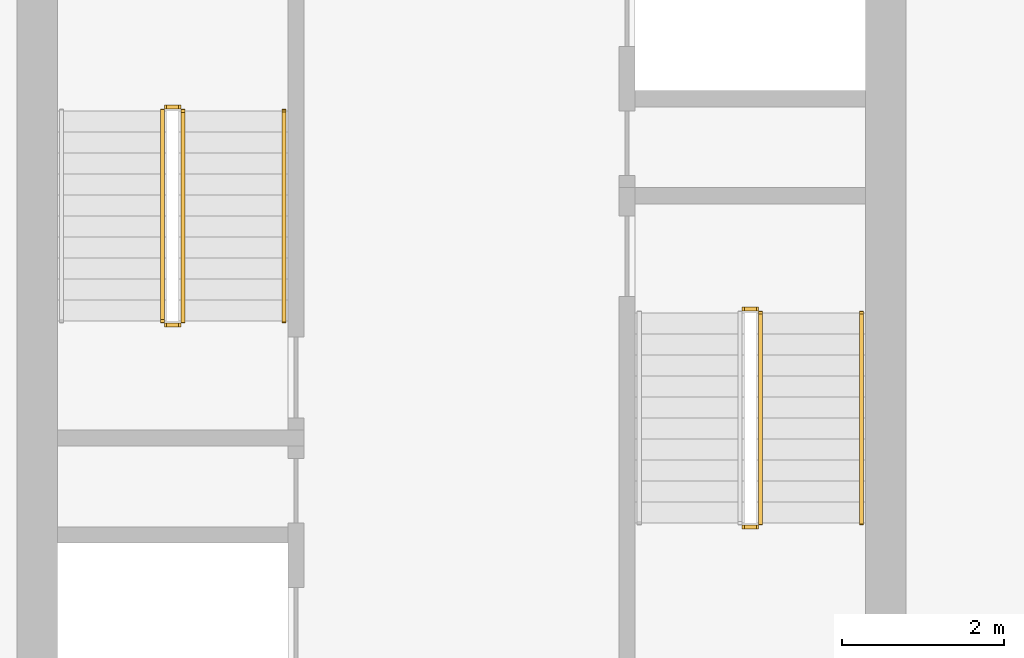
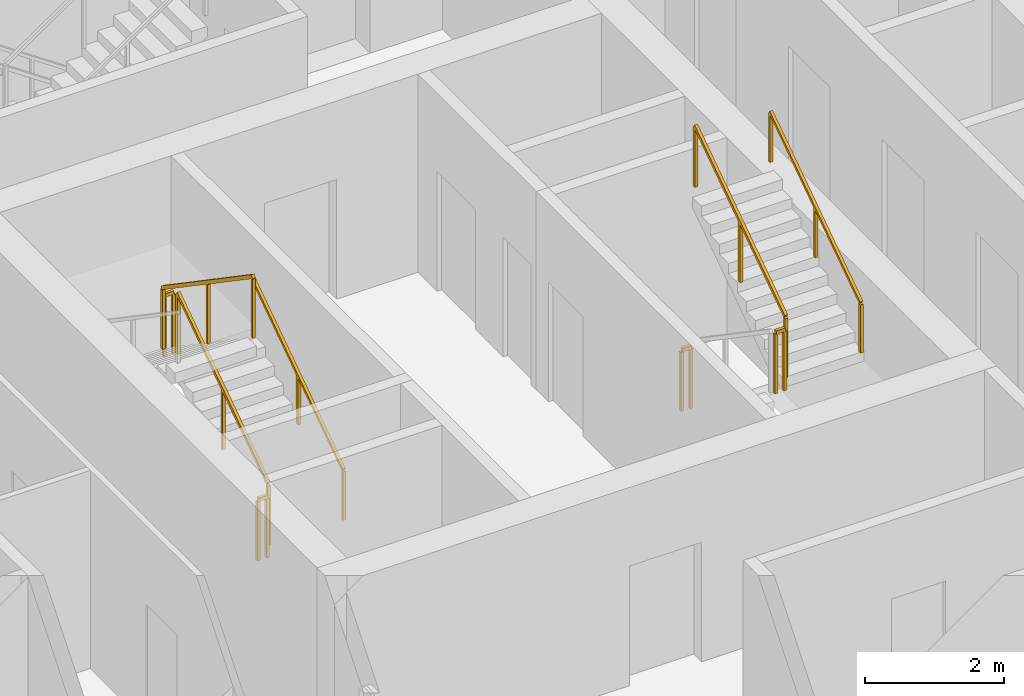
# One storey, part 13 of 16: 9 railings.
"""IFC4 building model written with IfcOpenShell, lengths in metres."""

from ifc_helpers import new_model, si_unit, direction, frame, origin, origin_2d, place, context, subcontext, project, spatial, rectangle, extrude, material, type_object, element, save


model = new_model("IFC4")

# Units and contexts
model_context = context("Model", 3, precision=1e-05, world=origin(), true_north=direction((0.0, 1.0)))
body_context = subcontext(model_context, "Body", "Model", "MODEL_VIEW")
ifc_project = project(units=[si_unit("LENGTHUNIT", "METRE"), si_unit("AREAUNIT", "SQUARE_METRE"), si_unit("VOLUMEUNIT", "CUBIC_METRE"), si_unit("PLANEANGLEUNIT", "RADIAN"), si_unit("MASSUNIT", "GRAM", prefix="KILO")], contexts=[model_context])

# Site, building, storey
site_placement = place(None, origin())
site = spatial("IfcSite", under=ifc_project, at=site_placement, CompositionType="ELEMENT")
building_placement = place(site_placement, origin())
building = spatial("IfcBuilding", under=site, at=building_placement, Name="Khepri Terraces", CompositionType="ELEMENT")
storey_placement = place(building_placement, frame((0.0, 0.0, 137.699951171875)))
storey = spatial("IfcBuildingStorey", under=building, at=storey_placement, Name="L32", CompositionType="ELEMENT", Elevation=137.699951171875)

# Railings
ifc_material = material(Name="Stainless steel 316", Category="steel")
railing_type_1 = type_object("IfcRailingType", Name="RL-CORE-GUARD", PredefinedType="GUARDRAIL", material=ifc_material)
railing_1_placement = place(storey_placement, frame((-3.449951171875, -0.050048828125, 0.17724609375)))
element("IfcRailing", 1, at=railing_1_placement, inside=storey, type_object=railing_type_1, Name="L32 ST-1 stair guard 1", PredefinedType="GUARDRAIL", context=body_context, shape_type="SweptSolid", body=[
    extrude(rectangle(XDim=0.050048828125, YDim=0.06005859375, at=origin_2d()), frame((0.0, 0.0, 1.070068359375), z_axis=(0.0, 0.826240473404, 0.563317565952), x_axis=(-1.0, 0.0, 0.0)), (0.0, 0.0, 1.0), 3.14697265625),
    extrude(rectangle(XDim=0.050048828125, YDim=0.050048828125, at=origin_2d()), origin(), (0.0, 0.0, 1.0), 1.0400390625),
    extrude(rectangle(XDim=0.050048828125, YDim=0.050048828125, at=origin_2d()), frame((0.0, 1.300048828125, 0.88623046875)), (0.0, 0.0, 1.0), 1.0400390625),
    extrude(rectangle(XDim=0.050048828125, YDim=0.050048828125, at=origin_2d()), frame((0.0, 2.60009765625, 1.772705078125)), (0.0, 0.0, 1.0), 1.0400390625),
])
railing_2_placement = place(storey_placement, frame((-3.5, 2.60009765625, 1.949951171875)))
element("IfcRailing", 2, at=railing_2_placement, inside=storey, type_object=railing_type_1, Name="L32 ST-1 stair guard 2", PredefinedType="GUARDRAIL", context=body_context, shape_type="SweptSolid", body=[
    extrude(rectangle(XDim=0.050048828125, YDim=0.06005859375, at=origin_2d()), frame((0.0, 0.0, 1.070068359375), z_axis=(-1.0, 0.0, 0.0), x_axis=(0.0, -1.0, 0.0)), (0.0, 0.0, 1.0), 0.14990234375),
    extrude(rectangle(XDim=0.050048828125, YDim=0.050048828125, at=origin_2d()), origin(), (0.0, 0.0, 1.0), 1.0400390625),
    extrude(rectangle(XDim=0.050048828125, YDim=0.050048828125, at=origin_2d()), frame((-0.14990234375, 0.0, 0.0)), (0.0, 0.0, 1.0), 1.0400390625),
])
railing_3_placement = place(storey_placement, frame((-3.699951171875, 2.550048828125, 2.12744140625)))
element("IfcRailing", 3, at=railing_3_placement, inside=storey, type_object=railing_type_1, Name="L32 ST-1 stair guard 3", PredefinedType="GUARDRAIL", context=body_context, shape_type="SweptSolid", body=[
    extrude(rectangle(XDim=0.050048828125, YDim=0.06005859375, at=origin_2d()), frame((0.0, 0.0, 1.070068359375), z_axis=(0.0, -0.826240473404, 0.563317565952), x_axis=(1.0, 0.0, 0.0)), (0.0, 0.0, 1.0), 3.14697265625),
    extrude(rectangle(XDim=0.050048828125, YDim=0.050048828125, at=origin_2d()), origin(), (0.0, 0.0, 1.0), 1.0400390625),
    extrude(rectangle(XDim=0.050048828125, YDim=0.050048828125, at=origin_2d()), frame((0.0, -1.300048828125, 0.88623046875)), (0.0, 0.0, 1.0), 1.0400390625),
    extrude(rectangle(XDim=0.050048828125, YDim=0.050048828125, at=origin_2d()), frame((0.0, -2.60009765625, 1.772705078125)), (0.0, 0.0, 1.0), 1.0400390625),
])
railing_4_placement = place(storey_placement, frame((-3.5, -0.10009765625, 0.0)))
element("IfcRailing", 4, at=railing_4_placement, inside=storey, type_object=railing_type_1, Name="L32 ST-1 stair guard 4", PredefinedType="GUARDRAIL", context=body_context, shape_type="SweptSolid", body=[
    extrude(rectangle(XDim=0.050048828125, YDim=0.06005859375, at=origin_2d()), frame((0.0, 0.0, 1.070068359375), z_axis=(-1.0, 0.0, 0.0), x_axis=(0.0, -1.0, 0.0)), (0.0, 0.0, 1.0), 0.14990234375),
    extrude(rectangle(XDim=0.050048828125, YDim=0.050048828125, at=origin_2d()), origin(), (0.0, 0.0, 1.0), 1.0400390625),
    extrude(rectangle(XDim=0.050048828125, YDim=0.050048828125, at=origin_2d()), frame((-0.14990234375, 0.0, 0.0)), (0.0, 0.0, 1.0), 1.0400390625),
])
railing_5_placement = place(storey_placement, frame((3.5, -2.60009765625, 1.949951171875)))
element("IfcRailing", 5, at=railing_5_placement, inside=storey, type_object=railing_type_1, Name="L32 ST-2 stair guard 2", PredefinedType="GUARDRAIL", context=body_context, shape_type="SweptSolid", body=[
    extrude(rectangle(XDim=0.050048828125, YDim=0.06005859375, at=origin_2d()), frame((0.0, 0.0, 1.070068359375), z_axis=(1.0, 0.0, 0.0), x_axis=(0.0, 1.0, 0.0)), (0.0, 0.0, 1.0), 0.14990234375),
    extrude(rectangle(XDim=0.050048828125, YDim=0.050048828125, at=origin_2d()), origin(), (0.0, 0.0, 1.0), 1.0400390625),
    extrude(rectangle(XDim=0.050048828125, YDim=0.050048828125, at=origin_2d()), frame((0.14990234375, 0.0, 0.0)), (0.0, 0.0, 1.0), 1.0400390625),
])
railing_6_placement = place(storey_placement, frame((3.699951171875, -2.550048828125, 2.12744140625)))
element("IfcRailing", 6, at=railing_6_placement, inside=storey, type_object=railing_type_1, Name="L32 ST-2 stair guard 3", PredefinedType="GUARDRAIL", context=body_context, shape_type="SweptSolid", body=[
    extrude(rectangle(XDim=0.050048828125, YDim=0.06005859375, at=origin_2d()), frame((0.0, 0.0, 1.070068359375), z_axis=(0.0, 0.826240473404, 0.563317565952), x_axis=(-1.0, 0.0, 0.0)), (0.0, 0.0, 1.0), 3.14697265625),
    extrude(rectangle(XDim=0.050048828125, YDim=0.050048828125, at=origin_2d()), origin(), (0.0, 0.0, 1.0), 1.0400390625),
    extrude(rectangle(XDim=0.050048828125, YDim=0.050048828125, at=origin_2d()), frame((0.0, 1.300048828125, 0.88623046875)), (0.0, 0.0, 1.0), 1.0400390625),
    extrude(rectangle(XDim=0.050048828125, YDim=0.050048828125, at=origin_2d()), frame((0.0, 2.60009765625, 1.772705078125)), (0.0, 0.0, 1.0), 1.0400390625),
])
railing_7_placement = place(storey_placement, frame((3.5, 0.10009765625, 0.0)))
element("IfcRailing", 7, at=railing_7_placement, inside=storey, type_object=railing_type_1, Name="L32 ST-2 stair guard 4", PredefinedType="GUARDRAIL", context=body_context, shape_type="SweptSolid", body=[
    extrude(rectangle(XDim=0.050048828125, YDim=0.06005859375, at=origin_2d()), frame((0.0, 0.0, 1.070068359375), z_axis=(1.0, 0.0, 0.0), x_axis=(0.0, 1.0, 0.0)), (0.0, 0.0, 1.0), 0.14990234375),
    extrude(rectangle(XDim=0.050048828125, YDim=0.050048828125, at=origin_2d()), origin(), (0.0, 0.0, 1.0), 1.0400390625),
    extrude(rectangle(XDim=0.050048828125, YDim=0.050048828125, at=origin_2d()), frame((0.14990234375, 0.0, 0.0)), (0.0, 0.0, 1.0), 1.0400390625),
])
railing_type_2 = type_object("IfcRailingType", Name="RL-CORE-HANDRAIL", PredefinedType="HANDRAIL", material=ifc_material)
for number, where, name in (
    (8, (-2.199951171875, -0.050048828125, 0.17724609375), "L32 ST-1 stair handrail 1"),
    (9, (4.949951171875, -2.550048828125, 2.12744140625), "L32 ST-2 stair handrail 2"),
):
    element("IfcRailing", number, at=place(storey_placement, frame(where)), inside=storey, type_object=railing_type_2, Name=name, PredefinedType="HANDRAIL", context=body_context, shape_type="SweptSolid", body=[
        extrude(rectangle(XDim=0.050048828125, YDim=0.050048828125, at=origin_2d()), frame((0.0, 0.0, 0.875), z_axis=(0.0, 0.826240473404, 0.563317565952), x_axis=(-1.0, 0.0, 0.0)), (0.0, 0.0, 1.0), 3.14697265625),
        extrude(rectangle(XDim=0.050048828125, YDim=0.050048828125, at=origin_2d()), origin(), (0.0, 0.0, 1.0), 0.849853515625),
        extrude(rectangle(XDim=0.050048828125, YDim=0.050048828125, at=origin_2d()), frame((0.0, 1.300048828125, 0.88623046875)), (0.0, 0.0, 1.0), 0.849853515625),
        extrude(rectangle(XDim=0.050048828125, YDim=0.050048828125, at=origin_2d()), frame((0.0, 2.60009765625, 1.772705078125)), (0.0, 0.0, 1.0), 0.849853515625),
    ])

save(model, "model.ifc")
